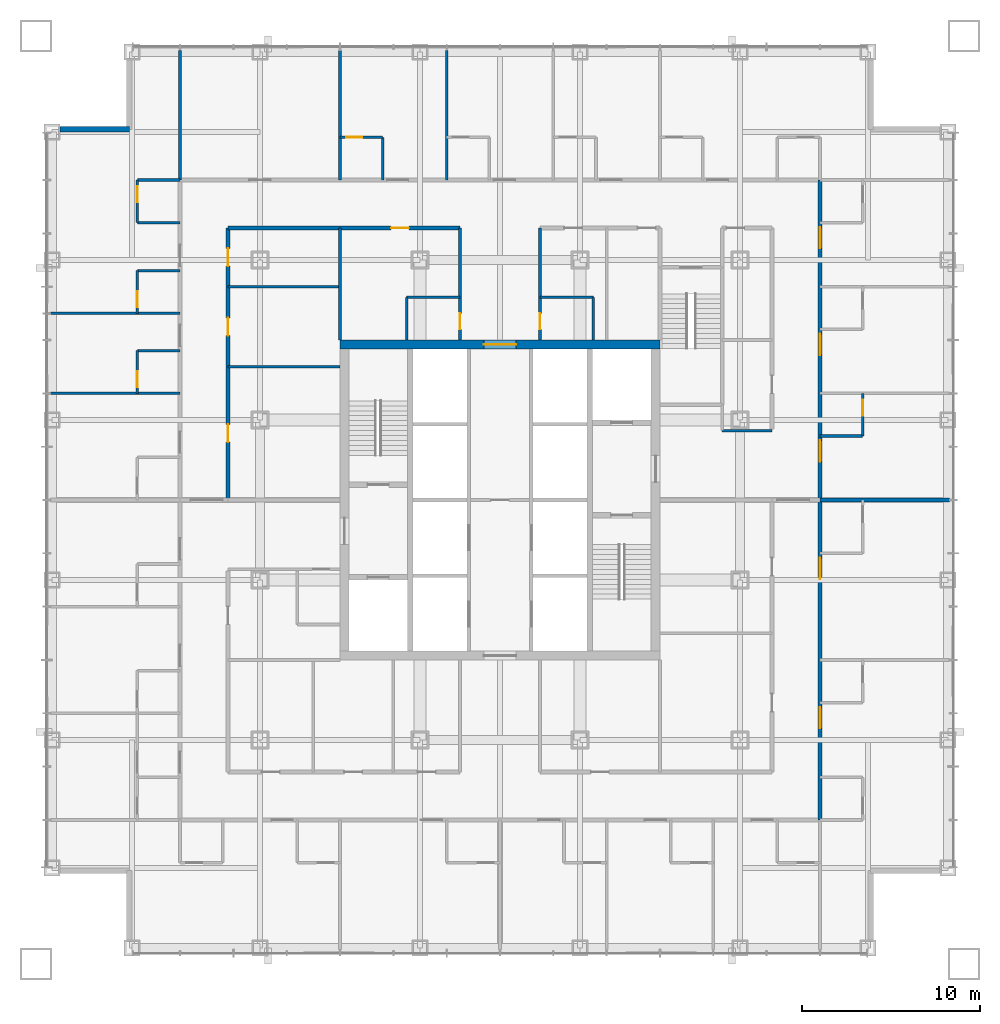
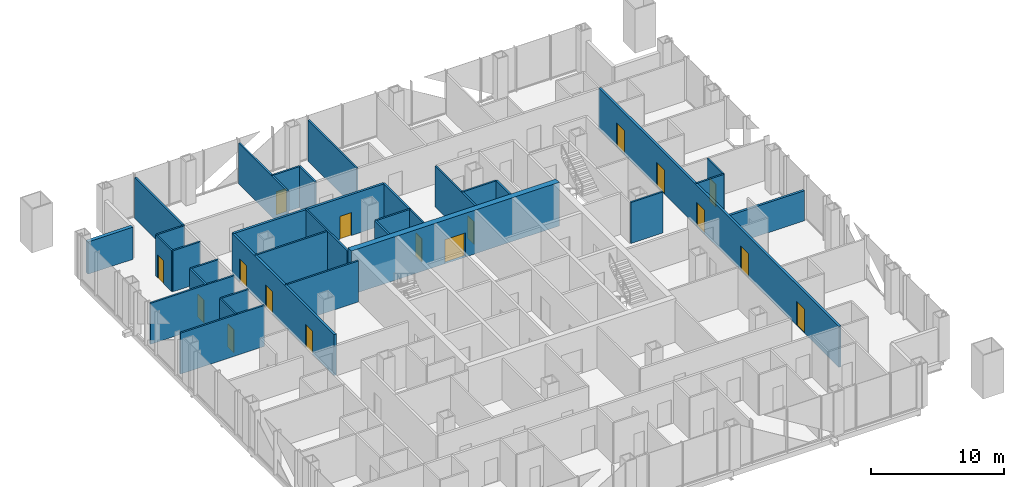
# One storey, part 10 of 14: 32 walls, 17 doors, 17 openings.
"""IFC4 building model written with IfcOpenShell, lengths in metres."""

import ifcopenshell
import ifcopenshell.guid

model = None  # the IFC model being written
_history = None  # IfcOwnerHistory: only IFC2X3 demands one
_inside = {}  # id of a spatial element -> (the spatial element, [elements in it])
_under = {}  # id of a project, library or spatial element -> (it, [spatial elements below it])
_declared = {}  # id of a project -> (the project, [libraries it declares])
_typed = {}  # id of a type object -> (the type object, [elements of that type])
_made_of = {}  # id of a material, layer set ... -> (it, [elements and type objects made of it])


def new_model(schema):
    """Start an empty IFC model of exactly this schema.

    Asked for "IFC4X3", IfcOpenShell would pick the latest addendum, in which some entities
    have other attributes; the version numbers below select the first issue.
    IFC2X3 requires an IfcOwnerHistory on every rooted entity: one is made here for all.
    """
    global model, _history
    if schema == "IFC4X3":
        model = ifcopenshell.file(schema_version=(4, 3, 0, 0))
    else:
        model = ifcopenshell.file(schema=schema)
    _inside.clear()
    _under.clear()
    _declared.clear()
    _typed.clear()
    _made_of.clear()
    _history = None
    if model.schema == "IFC2X3":
        org = make("IfcOrganization", Name="unknown")
        user = make(
            "IfcPersonAndOrganization",
            ThePerson=make("IfcPerson", FamilyName="unknown"),
            TheOrganization=org,
        )
        app = make(
            "IfcApplication",
            ApplicationDeveloper=org,
            Version="unknown",
            ApplicationFullName="unknown",
            ApplicationIdentifier="unknown",
        )
        _history = make(
            "IfcOwnerHistory",
            OwningUser=user,
            OwningApplication=app,
            ChangeAction="ADDED",
            CreationDate=0,
        )
    return model


def make(cls, **values):
    """One entity of the class cls with the attributes given. An attribute that is None is left unset."""
    return model.create_entity(
        cls, **{name: value for name, value in values.items() if value is not None}
    )


def rooted(cls, **values):
    """An entity with a GlobalId (a new one), such as an element, a storey or a relation."""
    return make(cls, GlobalId=ifcopenshell.guid.new(), OwnerHistory=_history, **values)


def si_unit(unit_type, name, prefix=None):
    """IfcSIUnit, for example si_unit("LENGTHUNIT", "METRE", prefix="MILLI")."""
    return make("IfcSIUnit", UnitType=unit_type, Prefix=prefix, Name=name)


def assignment(units):
    """IfcUnitAssignment: the units of a project."""
    return None if units is None else make("IfcUnitAssignment", Units=units)


def point(xyz):
    """IfcCartesianPoint."""
    return None if xyz is None else make("IfcCartesianPoint", Coordinates=xyz)


def direction(xyz):
    """IfcDirection."""
    return None if xyz is None else make("IfcDirection", DirectionRatios=xyz)


def frame(location, z_axis=None, x_axis=None):
    """IfcAxis2Placement3D, a coordinate frame: its origin and axes. An axis left out is left unset."""
    return make(
        "IfcAxis2Placement3D",
        Location=point(location),
        Axis=direction(z_axis),
        RefDirection=direction(x_axis),
    )


def frame_2d(location, x_axis=None):
    """IfcAxis2Placement2D, a coordinate frame in the plane: its origin and x axis."""
    return make(
        "IfcAxis2Placement2D", Location=point(location), RefDirection=direction(x_axis)
    )


def origin():
    """The frame at (0, 0, 0) with its axes left unset."""
    return frame((0.0, 0.0, 0.0))


def place(relative_to, where):
    """IfcLocalPlacement: puts the frame where relative to a parent placement (None: the world)."""
    return make(
        "IfcLocalPlacement", PlacementRelTo=relative_to, RelativePlacement=where
    )


def context(
    kind, dimensions, precision=None, world=None, true_north=None, identifier=None
):
    """IfcGeometricRepresentationContext, for example the 3D "Model" context."""
    return make(
        "IfcGeometricRepresentationContext",
        ContextIdentifier=identifier,
        ContextType=kind,
        CoordinateSpaceDimension=dimensions,
        Precision=precision,
        WorldCoordinateSystem=world,
        TrueNorth=true_north,
    )


def subcontext(parent, identifier, kind, view, scale=None):
    """IfcGeometricRepresentationSubContext, for example "Body" below "Model"."""
    return make(
        "IfcGeometricRepresentationSubContext",
        ContextIdentifier=identifier,
        ContextType=kind,
        ParentContext=parent,
        TargetScale=scale,
        TargetView=view,
    )


def project(units=None, contexts=None):
    """IfcProject with its units and contexts."""
    return rooted(
        "IfcProject",
        Name="project",
        RepresentationContexts=contexts,
        UnitsInContext=assignment(units),
    )


def spatial(cls, under=None, at=None, **own):
    """A site, building, storey or space (cls), placed at a placement, below another one or the project."""
    s = rooted(cls, ObjectPlacement=at, **own)
    if under is not None:
        _under.setdefault(under.id(), (under, []))[1].append(s)
    return s


def profile(cls, at=None, kind="AREA", **sizes):
    """A parametric profile (cls). Its sizes go by their IFC names, for example OverallWidth=200.0."""
    return make(cls, ProfileType=kind, Position=at, **sizes)


def rectangle(**sizes):
    """IfcRectangleProfileDef."""
    return profile("IfcRectangleProfileDef", **sizes)


def extrude(swept, where, along, depth):
    """IfcExtrudedAreaSolid: the profile swept, set in the frame where, extruded along a direction by depth."""
    return make(
        "IfcExtrudedAreaSolid",
        SweptArea=swept,
        Position=where,
        ExtrudedDirection=direction(along),
        Depth=depth,
    )


def shape(context_of_items, identifier, shape_type, items):
    """IfcShapeRepresentation: the items that make up one representation, for example the "Body"."""
    return make(
        "IfcShapeRepresentation",
        ContextOfItems=context_of_items,
        RepresentationIdentifier=identifier,
        RepresentationType=shape_type,
        Items=items,
    )


def material(Name=None, Category=None):
    """IfcMaterial."""
    return make("IfcMaterial", Name=Name, Category=Category)


def layer(
    of_material, thickness, ventilated=None, Name=None, Category=None, Priority=None
):
    """IfcMaterialLayer: one layer of a wall or slab, of a material (None: an air gap)."""
    return make(
        "IfcMaterialLayer",
        Material=of_material,
        LayerThickness=thickness,
        IsVentilated=ventilated,
        Name=Name,
        Category=Category,
        Priority=Priority,
    )


def layer_set(layers, Name=None):
    """IfcMaterialLayerSet."""
    return make("IfcMaterialLayerSet", MaterialLayers=layers, LayerSetName=Name)


def made_of(thing, what):
    """Note that an element or type object is made of a material, layer set ...; save() writes the relation."""
    if what is not None:
        _made_of.setdefault(what.id(), (what, []))[1].append(thing)
    return thing


def type_object(cls, material=None, **own):
    """A type object (cls), such as IfcWallType, which elements share."""
    return made_of(rooted(cls, **own), material)


def element(
    cls,
    number,
    at=None,
    inside=None,
    cuts=None,
    type_object=None,
    material=None,
    context=None,
    identifier="Body",
    shape_type=None,
    held_by="IfcProductDefinitionShape",
    body=None,
    shapes=None,
    **own,
):
    """One element of the class cls, such as IfcWall. Its Tag is "e" and its number.

    at: its placement. inside: the storey or other place that contains it. cuts: it is an
    opening in that element (IfcRelVoidsElement). A single representation is given by context,
    identifier, shape_type and body (its items); several are given by shapes. held_by: the class
    of the entity that holds the representations. save() writes the other relations.
    """
    e = rooted(cls, Tag="e%d" % number, ObjectPlacement=at, **own)
    if body is not None:
        shapes = [shape(context, identifier, shape_type, body)]
    if shapes is not None:
        e.Representation = make(held_by, Representations=shapes)
    if inside is not None:
        _inside.setdefault(inside.id(), (inside, []))[1].append(e)
    if cuts is not None:
        rooted(
            "IfcRelVoidsElement", RelatingBuildingElement=cuts, RelatedOpeningElement=e
        )
    if type_object is not None:
        _typed.setdefault(type_object.id(), (type_object, []))[1].append(e)
    return made_of(e, material)


def fill(opening, filler):
    """IfcRelFillsElement: the door or window that sits in an opening."""
    return rooted(
        "IfcRelFillsElement",
        RelatingOpeningElement=opening,
        RelatedBuildingElement=filler,
    )


def aggregate(whole, parts):
    """IfcRelAggregates: a whole, such as a stair, and the parts it consists of."""
    return rooted("IfcRelAggregates", RelatingObject=whole, RelatedObjects=parts)


def save(model, path):
    """Write the relations noted so far, then the file.

    IfcRelAggregates (storeys below a building ...), IfcRelContainedInSpatialStructure (elements
    in a storey), IfcRelDefinesByType, IfcRelAssociatesMaterial and IfcRelDeclares: one each for
    every whole, place, type object, material and project.
    """
    for whole, parts in _under.values():
        aggregate(whole, parts)
    for where, things in _inside.values():
        rooted(
            "IfcRelContainedInSpatialStructure",
            RelatedElements=things,
            RelatingStructure=where,
        )
    for kind, things in _typed.values():
        rooted("IfcRelDefinesByType", RelatedObjects=things, RelatingType=kind)
    for what, things in _made_of.values():
        rooted("IfcRelAssociatesMaterial", RelatedObjects=things, RelatingMaterial=what)
    for by, libraries in _declared.values():
        rooted("IfcRelDeclares", RelatingContext=by, RelatedDefinitions=libraries)
    model.write(path)


model = new_model("IFC4")

# Units and contexts
model_context = context("Model", 3, precision=1e-05, world=origin(), true_north=direction((0.0, 1.0)))
body_context = subcontext(model_context, "Body", "Model", "MODEL_VIEW")
ifc_project = project(units=[si_unit("LENGTHUNIT", "METRE"), si_unit("AREAUNIT", "SQUARE_METRE"), si_unit("VOLUMEUNIT", "CUBIC_METRE"), si_unit("PLANEANGLEUNIT", "RADIAN"), si_unit("MASSUNIT", "GRAM", prefix="KILO")], contexts=[model_context])

# Site, building, storey
site_placement = place(None, origin())
site = spatial("IfcSite", under=ifc_project, at=site_placement, CompositionType="ELEMENT")
building_placement = place(site_placement, origin())
building = spatial("IfcBuilding", under=site, at=building_placement, Name="Malebo Sky Hospital", CompositionType="ELEMENT")
storey_placement = place(building_placement, frame((0.0, 0.0, 71.0)))
storey = spatial("IfcBuildingStorey", under=building, at=storey_placement, Name="L16", CompositionType="ELEMENT", Elevation=71.0)

# Wall, opening, door
ifc_material_1 = material(Name="Concrete C80/95", Category="concrete")
ifc_layer_1 = layer(ifc_material_1, 0.5)
ifc_layer_set_1 = layer_set([ifc_layer_1], Name="CORE WALL 500")
wall_type_1 = type_object("IfcWallType", Name="CORE WALL 500", PredefinedType="SHEAR", material=ifc_layer_set_1)
wall_1_placement = place(storey_placement, frame((51.0, 70.75, 0.0), z_axis=(0.0, 0.0, 1.0), x_axis=(1.0, 0.0, 0.0)))
wall_1 = element("IfcWall", 1, at=wall_1_placement, inside=storey, type_object=wall_type_1, Name="Core wall N L16", PredefinedType="SHEAR", context=body_context, shape_type="SweptSolid", body=[
    extrude(rectangle(XDim=18.0, YDim=0.5, at=frame_2d((9.0, 0.0))), origin(), (0.0, 0.0, 1.0), 4.0),
])
opening_1_placement = place(wall_1_placement, frame((8.10009765625, 0.0, 0.0)))
opening_1 = element("IfcOpeningElement", 2, at=opening_1_placement, cuts=wall_1, Name="Opening D06", PredefinedType="OPENING", context=body_context, shape_type="SweptSolid", body=[
    extrude(rectangle(XDim=1.800048828125, YDim=2.199951171875, at=frame_2d((0.89990234375, 1.10009765625))), frame((0.0, 0.260009765625, 0.0), z_axis=(0.0, -1.0, 0.0), x_axis=(1.0, 0.0, 0.0)), (0.0, 0.0, 1.0), 0.52001953125),
])
ifc_material_2 = material(Name="Hardwood-faced door leaf in steel frame", Category="steel")
door_type_1 = type_object("IfcDoorType", Name="LOBBY DOOR PAIR 1800", OperationType="DOUBLE_DOOR_SINGLE_SWING", PredefinedType="DOOR", material=ifc_material_2)
door_1_placement = place(opening_1_placement, origin())
door_1 = element("IfcDoor", 3, at=door_1_placement, inside=storey, type_object=door_type_1, Name="linen store door north", OperationType="DOUBLE_DOOR_SINGLE_SWING", OverallHeight=2.199951171875, OverallWidth=1.800048828125, PredefinedType="DOOR", context=body_context, shape_type="SweptSolid", body=[
    extrude(rectangle(XDim=1.800048828125, YDim=2.199951171875, at=frame_2d((0.89990234375, 1.10009765625))), frame((0.0, 0.02490234375, 0.0), z_axis=(0.0, -1.0, 0.0), x_axis=(1.0, 0.0, 0.0)), (0.0, 0.0, 1.0), 0.050048828125),
])
fill(opening_1, door_1)

ifc_material_3 = material(Name="Gypsum board on steel studs", Category="steel")
ifc_layer_2 = layer(ifc_material_3, 0.199951171875)
ifc_layer_set_2 = layer_set([ifc_layer_2], Name="CORRIDOR WALL 200")
wall_type_2 = type_object("IfcWallType", Name="CORRIDOR WALL 200", PredefinedType="PARTITIONING", material=ifc_layer_set_2)
wall_2_placement = place(storey_placement, frame((44.699951171875, 77.300048828125, 0.0), z_axis=(0.0, 0.0, 1.0), x_axis=(1.0, 0.0, 0.0)))
wall_2 = element("IfcWall", 4, at=wall_2_placement, inside=storey, type_object=wall_type_2, Name="Corridor Wall 200 NCI1", PredefinedType="PARTITIONING", context=body_context, shape_type="SweptSolid", body=[
    extrude(rectangle(XDim=13.050048828125, YDim=0.199951171875, at=frame_2d((6.52490234375, 0.0))), origin(), (0.0, 0.0, 1.0), 3.75),
])
opening_2_placement = place(wall_2_placement, frame((9.175048828125, 0.0, 0.0)))
opening_2 = element("IfcOpeningElement", 5, at=opening_2_placement, cuts=wall_2, Name="Opening D03", PredefinedType="OPENING", context=body_context, shape_type="SweptSolid", body=[
    extrude(rectangle(XDim=1.0, YDim=2.10009765625, at=frame_2d((0.5, 1.050048828125))), frame((0.0, 0.10986328125, 0.0), z_axis=(0.0, -1.0, 0.0), x_axis=(1.0, 0.0, 0.0)), (0.0, 0.0, 1.0), 0.219970703125),
])
door_type_2 = type_object("IfcDoorType", Name="ROOM DOOR 1000", OperationType="SINGLE_SWING_LEFT", PredefinedType="DOOR", material=ifc_material_2)
door_2_placement = place(opening_2_placement, origin())
door_2 = element("IfcDoor", 6, at=door_2_placement, inside=storey, type_object=door_type_2, Name="Staff base door", OperationType="SINGLE_SWING_LEFT", OverallHeight=2.10009765625, OverallWidth=1.0, PredefinedType="DOOR", context=body_context, shape_type="SweptSolid", body=[
    extrude(rectangle(XDim=1.0, YDim=2.10009765625, at=frame_2d((0.5, 1.050048828125))), frame((0.0, 0.02490234375, 0.0), z_axis=(0.0, -1.0, 0.0), x_axis=(1.0, 0.0, 0.0)), (0.0, 0.0, 1.0), 0.050048828125),
])
fill(opening_2, door_2)

# Wall, openings, doors
wall_3_placement = place(storey_placement, frame((44.699951171875, 62.0, 0.0), z_axis=(0.0, 0.0, 1.0), x_axis=(0.0, 1.0, 0.0)))
wall_3 = element("IfcWall", 7, at=wall_3_placement, inside=storey, type_object=wall_type_2, Name="Corridor Wall 200 WCI2", PredefinedType="PARTITIONING", context=body_context, shape_type="SweptSolid", body=[
    extrude(rectangle(XDim=15.300048828125, YDim=0.199951171875, at=frame_2d((7.64990234375, 0.0))), origin(), (0.0, 0.0, 1.0), 3.75),
])
opening_3_placement = place(wall_3_placement, frame((3.25, 0.0, 0.0)))
opening_3 = element("IfcOpeningElement", 8, at=opening_3_placement, cuts=wall_3, Name="Opening D03", PredefinedType="OPENING", context=body_context, shape_type="SweptSolid", body=[
    extrude(rectangle(XDim=1.0, YDim=2.10009765625, at=frame_2d((0.5, 1.050048828125))), frame((0.0, 0.10986328125, 0.0), z_axis=(0.0, -1.0, 0.0), x_axis=(1.0, 0.0, 0.0)), (0.0, 0.0, 1.0), 0.219970703125),
])
opening_4_placement = place(wall_3_placement, frame((9.25, 0.0, 0.0)))
opening_4 = element("IfcOpeningElement", 9, at=opening_4_placement, cuts=wall_3, Name="Opening D03", PredefinedType="OPENING", context=body_context, shape_type="SweptSolid", body=[
    extrude(rectangle(XDim=1.0, YDim=2.10009765625, at=frame_2d((0.5, 1.050048828125))), frame((0.0, 0.10986328125, 0.0), z_axis=(0.0, -1.0, 0.0), x_axis=(1.0, 0.0, 0.0)), (0.0, 0.0, 1.0), 0.219970703125),
])
opening_5_placement = place(wall_3_placement, frame((13.14990234375, 0.0, 0.0)))
opening_5 = element("IfcOpeningElement", 10, at=opening_5_placement, cuts=wall_3, Name="Opening D03", PredefinedType="OPENING", context=body_context, shape_type="SweptSolid", body=[
    extrude(rectangle(XDim=1.0, YDim=2.10009765625, at=frame_2d((0.5, 1.050048828125))), frame((0.0, 0.10986328125, 0.0), z_axis=(0.0, -1.0, 0.0), x_axis=(1.0, 0.0, 0.0)), (0.0, 0.0, 1.0), 0.219970703125),
])
door_3_placement = place(opening_3_placement, origin())
door_3 = element("IfcDoor", 11, at=door_3_placement, inside=storey, type_object=door_type_2, Name="Staff rest room door", OperationType="SINGLE_SWING_LEFT", OverallHeight=2.10009765625, OverallWidth=1.0, PredefinedType="DOOR", context=body_context, shape_type="SweptSolid", body=[
    extrude(rectangle(XDim=1.0, YDim=2.10009765625, at=frame_2d((0.5, 1.050048828125))), frame((0.0, 0.02490234375, 0.0), z_axis=(0.0, -1.0, 0.0), x_axis=(1.0, 0.0, 0.0)), (0.0, 0.0, 1.0), 0.050048828125),
])
fill(opening_3, door_3)
door_4_placement = place(opening_4_placement, origin())
door_4 = element("IfcDoor", 12, at=door_4_placement, inside=storey, type_object=door_type_2, Name="Clean utility room door", OperationType="SINGLE_SWING_LEFT", OverallHeight=2.10009765625, OverallWidth=1.0, PredefinedType="DOOR", context=body_context, shape_type="SweptSolid", body=[
    extrude(rectangle(XDim=1.0, YDim=2.10009765625, at=frame_2d((0.5, 1.050048828125))), frame((0.0, 0.02490234375, 0.0), z_axis=(0.0, -1.0, 0.0), x_axis=(1.0, 0.0, 0.0)), (0.0, 0.0, 1.0), 0.050048828125),
])
fill(opening_4, door_4)
door_5_placement = place(opening_5_placement, origin())
door_5 = element("IfcDoor", 13, at=door_5_placement, inside=storey, type_object=door_type_2, Name="Medication room door", OperationType="SINGLE_SWING_RIGHT", OverallHeight=2.10009765625, OverallWidth=1.0, PredefinedType="DOOR", context=body_context, shape_type="SweptSolid", body=[
    extrude(rectangle(XDim=1.0, YDim=2.10009765625, at=frame_2d((0.5, 1.050048828125))), frame((0.0, 0.02490234375, 0.0), z_axis=(0.0, -1.0, 0.0), x_axis=(1.0, 0.0, 0.0)), (0.0, 0.0, 1.0), 0.050048828125),
])
fill(opening_5, door_5)

wall_4_placement = place(storey_placement, frame((78.0, 80.0, 0.0), z_axis=(0.0, 0.0, 1.0), x_axis=(0.0, -1.0, 0.0)))
wall_4 = element("IfcWall", 14, at=wall_4_placement, inside=storey, type_object=wall_type_2, Name="Corridor Wall 200 ECO", PredefinedType="PARTITIONING", context=body_context, shape_type="SweptSolid", body=[
    extrude(rectangle(XDim=36.0, YDim=0.199951171875, at=frame_2d((18.0, 0.0))), origin(), (0.0, 0.0, 1.0), 3.75),
])
opening_6_placement = place(wall_4_placement, frame((2.64990234375, 0.0, 0.0)))
opening_6 = element("IfcOpeningElement", 15, at=opening_6_placement, cuts=wall_4, Name="Opening D01", PredefinedType="OPENING", context=body_context, shape_type="SweptSolid", body=[
    extrude(rectangle(XDim=1.199951171875, YDim=2.199951171875, at=frame_2d((0.60009765625, 1.10009765625))), frame((0.0, 0.10986328125, 0.0), z_axis=(0.0, -1.0, 0.0), x_axis=(1.0, 0.0, 0.0)), (0.0, 0.0, 1.0), 0.219970703125),
])
opening_7_placement = place(wall_4_placement, frame((8.64990234375, 0.0, 0.0)))
opening_7 = element("IfcOpeningElement", 16, at=opening_7_placement, cuts=wall_4, Name="Opening D01", PredefinedType="OPENING", context=body_context, shape_type="SweptSolid", body=[
    extrude(rectangle(XDim=1.199951171875, YDim=2.199951171875, at=frame_2d((0.60009765625, 1.10009765625))), frame((0.0, 0.10986328125, 0.0), z_axis=(0.0, -1.0, 0.0), x_axis=(1.0, 0.0, 0.0)), (0.0, 0.0, 1.0), 0.219970703125),
])
opening_8_placement = place(wall_4_placement, frame((14.64990234375, 0.0, 0.0)))
opening_8 = element("IfcOpeningElement", 17, at=opening_8_placement, cuts=wall_4, Name="Opening D01", PredefinedType="OPENING", context=body_context, shape_type="SweptSolid", body=[
    extrude(rectangle(XDim=1.199951171875, YDim=2.199951171875, at=frame_2d((0.60009765625, 1.10009765625))), frame((0.0, 0.10986328125, 0.0), z_axis=(0.0, -1.0, 0.0), x_axis=(1.0, 0.0, 0.0)), (0.0, 0.0, 1.0), 0.219970703125),
])
opening_9_placement = place(wall_4_placement, frame((21.25, 0.0, 0.0)))
opening_9 = element("IfcOpeningElement", 18, at=opening_9_placement, cuts=wall_4, Name="Opening D01", PredefinedType="OPENING", context=body_context, shape_type="SweptSolid", body=[
    extrude(rectangle(XDim=1.199951171875, YDim=2.199951171875, at=frame_2d((0.60009765625, 1.10009765625))), frame((0.0, 0.10986328125, 0.0), z_axis=(0.0, -1.0, 0.0), x_axis=(1.0, 0.0, 0.0)), (0.0, 0.0, 1.0), 0.219970703125),
])
opening_10_placement = place(wall_4_placement, frame((29.64990234375, 0.0, 0.0)))
opening_10 = element("IfcOpeningElement", 19, at=opening_10_placement, cuts=wall_4, Name="Opening D01", PredefinedType="OPENING", context=body_context, shape_type="SweptSolid", body=[
    extrude(rectangle(XDim=1.199951171875, YDim=2.199951171875, at=frame_2d((0.60009765625, 1.10009765625))), frame((0.0, 0.10986328125, 0.0), z_axis=(0.0, -1.0, 0.0), x_axis=(1.0, 0.0, 0.0)), (0.0, 0.0, 1.0), 0.219970703125),
])
door_type_3 = type_object("IfcDoorType", Name="BED DOOR 1200", OperationType="SINGLE_SWING_LEFT", PredefinedType="DOOR", material=ifc_material_2)
door_6_placement = place(opening_6_placement, origin())
door_6 = element("IfcDoor", 20, at=door_6_placement, inside=storey, type_object=door_type_3, Name="Single bed room door", OperationType="SINGLE_SWING_LEFT", OverallHeight=2.199951171875, OverallWidth=1.199951171875, PredefinedType="DOOR", context=body_context, shape_type="SweptSolid", body=[
    extrude(rectangle(XDim=1.199951171875, YDim=2.199951171875, at=frame_2d((0.60009765625, 1.10009765625))), frame((0.0, 0.02490234375, 0.0), z_axis=(0.0, -1.0, 0.0), x_axis=(1.0, 0.0, 0.0)), (0.0, 0.0, 1.0), 0.050048828125),
])
fill(opening_6, door_6)
door_7_placement = place(opening_7_placement, origin())
door_7 = element("IfcDoor", 21, at=door_7_placement, inside=storey, type_object=door_type_3, Name="Single bed room door", OperationType="SINGLE_SWING_LEFT", OverallHeight=2.199951171875, OverallWidth=1.199951171875, PredefinedType="DOOR", context=body_context, shape_type="SweptSolid", body=[
    extrude(rectangle(XDim=1.199951171875, YDim=2.199951171875, at=frame_2d((0.60009765625, 1.10009765625))), frame((0.0, 0.02490234375, 0.0), z_axis=(0.0, -1.0, 0.0), x_axis=(1.0, 0.0, 0.0)), (0.0, 0.0, 1.0), 0.050048828125),
])
fill(opening_7, door_7)
door_8_placement = place(opening_8_placement, origin())
door_8 = element("IfcDoor", 22, at=door_8_placement, inside=storey, type_object=door_type_3, Name="Single bed room door", OperationType="SINGLE_SWING_LEFT", OverallHeight=2.199951171875, OverallWidth=1.199951171875, PredefinedType="DOOR", context=body_context, shape_type="SweptSolid", body=[
    extrude(rectangle(XDim=1.199951171875, YDim=2.199951171875, at=frame_2d((0.60009765625, 1.10009765625))), frame((0.0, 0.02490234375, 0.0), z_axis=(0.0, -1.0, 0.0), x_axis=(1.0, 0.0, 0.0)), (0.0, 0.0, 1.0), 0.050048828125),
])
fill(opening_8, door_8)
door_9_placement = place(opening_9_placement, origin())
door_9 = element("IfcDoor", 23, at=door_9_placement, inside=storey, type_object=door_type_3, Name="Two-bed room door", OperationType="SINGLE_SWING_LEFT", OverallHeight=2.199951171875, OverallWidth=1.199951171875, PredefinedType="DOOR", context=body_context, shape_type="SweptSolid", body=[
    extrude(rectangle(XDim=1.199951171875, YDim=2.199951171875, at=frame_2d((0.60009765625, 1.10009765625))), frame((0.0, 0.02490234375, 0.0), z_axis=(0.0, -1.0, 0.0), x_axis=(1.0, 0.0, 0.0)), (0.0, 0.0, 1.0), 0.050048828125),
])
fill(opening_9, door_9)
door_10_placement = place(opening_10_placement, origin())
door_10 = element("IfcDoor", 24, at=door_10_placement, inside=storey, type_object=door_type_3, Name="Four-bed bay door", OperationType="SINGLE_SWING_LEFT", OverallHeight=2.199951171875, OverallWidth=1.199951171875, PredefinedType="DOOR", context=body_context, shape_type="SweptSolid", body=[
    extrude(rectangle(XDim=1.199951171875, YDim=2.199951171875, at=frame_2d((0.60009765625, 1.10009765625))), frame((0.0, 0.02490234375, 0.0), z_axis=(0.0, -1.0, 0.0), x_axis=(1.0, 0.0, 0.0)), (0.0, 0.0, 1.0), 0.050048828125),
])
fill(opening_10, door_10)

# Walls
ifc_material_4 = material(Name="Anodised aluminium rainscreen on steel framing", Category="steel")
ifc_layer_3 = layer(ifc_material_4, 0.300048828125)
ifc_layer_set_3 = layer_set([ifc_layer_3], Name="NOTCH RAINSCREEN WALL 300")
wall_type_3 = type_object("IfcWallType", Name="NOTCH RAINSCREEN WALL 300", PredefinedType="ELEMENTEDWALL", material=ifc_layer_set_3)
wall_5_placement = place(storey_placement, frame((35.25, 82.85009765625, 0.0), z_axis=(0.0, 0.0, 1.0), x_axis=(1.0, 0.0, 0.0)))
element("IfcWall", 25, at=wall_5_placement, inside=storey, type_object=wall_type_3, Name="Notch rainscreen wall W1 L16", PredefinedType="ELEMENTEDWALL", context=body_context, shape_type="SweptSolid", body=[
    extrude(rectangle(XDim=3.89990234375, YDim=0.300048828125, at=frame_2d((1.949951171875, 0.0))), origin(), (0.0, 0.0, 1.0), 2.949951171875),
])
ifc_layer_4 = layer(ifc_material_3, 0.14990234375)
ifc_layer_set_4 = layer_set([ifc_layer_4], Name="PARTITION 150")
wall_type_4 = type_object("IfcWallType", Name="PARTITION 150", PredefinedType="PARTITIONING", material=ifc_layer_set_4)
for number, where, z_axis, x_axis, name in (
    (26, (51.0, 80.0, 0.0), (0.0, 0.0, 1.0), (0.0, 1.0, 0.0), "Partition 150 NP-9.0"),
    (27, (57.0, 80.0, 0.0), (0.0, 0.0, 1.0), (0.0, 1.0, 0.0), "Partition 150 NP-3.0"),
    (28, (42.0, 80.0, 0.0), (0.0, 0.0, 1.0), (0.0, 1.0, 0.0), "Partition 150 NP0"),
):
    element("IfcWall", number, at=place(storey_placement, frame(where, z_axis=z_axis, x_axis=x_axis)), inside=storey, type_object=wall_type_4, Name=name, PredefinedType="PARTITIONING", context=body_context, shape_type="SweptSolid", body=[
        extrude(rectangle(XDim=7.27490234375, YDim=0.14990234375, at=frame_2d((3.637451171875, 0.0))), origin(), (0.0, 0.0, 1.0), 3.75),
    ])

# Wall, opening, door
wall_6_placement = place(storey_placement, frame((51.0, 82.39990234375, 0.0), z_axis=(0.0, 0.0, 1.0), x_axis=(1.0, 0.0, 0.0)))
wall_6 = element("IfcWall", 29, at=wall_6_placement, inside=storey, type_object=wall_type_4, Name="Partition 150 NE1F", PredefinedType="PARTITIONING", context=body_context, shape_type="SweptSolid", body=[
    extrude(rectangle(XDim=2.39990234375, YDim=0.14990234375, at=frame_2d((1.199951171875, 0.0))), origin(), (0.0, 0.0, 1.0), 3.75),
])
opening_11_placement = place(wall_6_placement, frame((0.35009765625, 0.0, 0.0)))
opening_11 = element("IfcOpeningElement", 30, at=opening_11_placement, cuts=wall_6, Name="Opening D02", PredefinedType="OPENING", context=body_context, shape_type="SweptSolid", body=[
    extrude(rectangle(XDim=0.89990234375, YDim=2.10009765625, at=frame_2d((0.449951171875, 1.050048828125))), frame((0.0, 0.0849609375, 0.0), z_axis=(0.0, -1.0, 0.0), x_axis=(1.0, 0.0, 0.0)), (0.0, 0.0, 1.0), 0.169921875),
])
door_type_4 = type_object("IfcDoorType", Name="EN-SUITE DOOR 900", OperationType="SINGLE_SWING_LEFT", PredefinedType="DOOR", material=ifc_material_2)
door_11_placement = place(opening_11_placement, origin())
door_11 = element("IfcDoor", 31, at=door_11_placement, inside=storey, type_object=door_type_4, Name="En-suite door", OperationType="SINGLE_SWING_LEFT", OverallHeight=2.10009765625, OverallWidth=0.89990234375, PredefinedType="DOOR", context=body_context, shape_type="SweptSolid", body=[
    extrude(rectangle(XDim=0.89990234375, YDim=2.10009765625, at=frame_2d((0.449951171875, 1.050048828125))), frame((0.0, 0.02490234375, 0.0), z_axis=(0.0, -1.0, 0.0), x_axis=(1.0, 0.0, 0.0)), (0.0, 0.0, 1.0), 0.050048828125),
])
fill(opening_11, door_11)

# Walls
wall_7_placement = place(storey_placement, frame((53.39990234375, 80.0, 0.0), z_axis=(0.0, 0.0, 1.0), x_axis=(0.0, 1.0, 0.0)))
element("IfcWall", 32, at=wall_7_placement, inside=storey, type_object=wall_type_4, Name="Partition 150 NE1S", PredefinedType="PARTITIONING", context=body_context, shape_type="SweptSolid", body=[
    extrude(rectangle(XDim=2.39990234375, YDim=0.14990234375, at=frame_2d((1.199951171875, 0.0))), origin(), (0.0, 0.0, 1.0), 3.75),
])
wall_8_placement = place(storey_placement, frame((51.0, 71.0, 0.0), z_axis=(0.0, 0.0, 1.0), x_axis=(0.0, 1.0, 0.0)))
element("IfcWall", 33, at=wall_8_placement, inside=storey, type_object=wall_type_4, Name="Partition 150 NSP0", PredefinedType="PARTITIONING", context=body_context, shape_type="SweptSolid", body=[
    extrude(rectangle(XDim=6.300048828125, YDim=0.14990234375, at=frame_2d((3.14990234375, 0.0))), origin(), (0.0, 0.0, 1.0), 3.75),
])

# Wall, opening, door
wall_9_placement = place(storey_placement, frame((57.75, 71.0, 0.0), z_axis=(0.0, 0.0, 1.0), x_axis=(0.0, 1.0, 0.0)))
wall_9 = element("IfcWall", 34, at=wall_9_placement, inside=storey, type_object=wall_type_4, Name="Partition 150 NSPA", PredefinedType="PARTITIONING", context=body_context, shape_type="SweptSolid", body=[
    extrude(rectangle(XDim=6.300048828125, YDim=0.14990234375, at=frame_2d((3.14990234375, 0.0))), origin(), (0.0, 0.0, 1.0), 3.75),
])
opening_12_placement = place(wall_9_placement, frame((0.60009765625, 0.0, 0.0)))
opening_12 = element("IfcOpeningElement", 35, at=opening_12_placement, cuts=wall_9, Name="Opening D04", PredefinedType="OPENING", context=body_context, shape_type="SweptSolid", body=[
    extrude(rectangle(XDim=0.89990234375, YDim=2.10009765625, at=frame_2d((0.449951171875, 1.050048828125))), frame((0.0, 0.0849609375, 0.0), z_axis=(0.0, -1.0, 0.0), x_axis=(1.0, 0.0, 0.0)), (0.0, 0.0, 1.0), 0.169921875),
])
door_type_5 = type_object("IfcDoorType", Name="ROOM DOOR 900", OperationType="SINGLE_SWING_LEFT", PredefinedType="DOOR", material=ifc_material_2)
door_12_placement = place(opening_12_placement, origin())
door_12 = element("IfcDoor", 36, at=door_12_placement, inside=storey, type_object=door_type_5, Name="Staff WC door", OperationType="SINGLE_SWING_LEFT", OverallHeight=2.10009765625, OverallWidth=0.89990234375, PredefinedType="DOOR", context=body_context, shape_type="SweptSolid", body=[
    extrude(rectangle(XDim=0.89990234375, YDim=2.10009765625, at=frame_2d((0.449951171875, 1.050048828125))), frame((0.0, 0.02490234375, 0.0), z_axis=(0.0, -1.0, 0.0), x_axis=(1.0, 0.0, 0.0)), (0.0, 0.0, 1.0), 0.050048828125),
])
fill(opening_12, door_12)

wall_10_placement = place(storey_placement, frame((62.25, 71.0, 0.0), z_axis=(0.0, 0.0, 1.0), x_axis=(0.0, 1.0, 0.0)))
wall_10 = element("IfcWall", 37, at=wall_10_placement, inside=storey, type_object=wall_type_4, Name="Partition 150 NSPB", PredefinedType="PARTITIONING", context=body_context, shape_type="SweptSolid", body=[
    extrude(rectangle(XDim=6.300048828125, YDim=0.14990234375, at=frame_2d((3.14990234375, 0.0))), origin(), (0.0, 0.0, 1.0), 3.75),
])
opening_13_placement = place(wall_10_placement, frame((0.60009765625, 0.0, 0.0)))
opening_13 = element("IfcOpeningElement", 38, at=opening_13_placement, cuts=wall_10, Name="Opening D04", PredefinedType="OPENING", context=body_context, shape_type="SweptSolid", body=[
    extrude(rectangle(XDim=0.89990234375, YDim=2.10009765625, at=frame_2d((0.449951171875, 1.050048828125))), frame((0.0, 0.0849609375, 0.0), z_axis=(0.0, -1.0, 0.0), x_axis=(1.0, 0.0, 0.0)), (0.0, 0.0, 1.0), 0.169921875),
])
door_13_placement = place(opening_13_placement, origin())
door_13 = element("IfcDoor", 39, at=door_13_placement, inside=storey, type_object=door_type_5, Name="Accessible WC door", OperationType="SINGLE_SWING_LEFT", OverallHeight=2.10009765625, OverallWidth=0.89990234375, PredefinedType="DOOR", context=body_context, shape_type="SweptSolid", body=[
    extrude(rectangle(XDim=0.89990234375, YDim=2.10009765625, at=frame_2d((0.449951171875, 1.050048828125))), frame((0.0, 0.02490234375, 0.0), z_axis=(0.0, -1.0, 0.0), x_axis=(1.0, 0.0, 0.0)), (0.0, 0.0, 1.0), 0.050048828125),
])
fill(opening_13, door_13)

# Walls
wall_11_placement = place(storey_placement, frame((54.75, 73.39990234375, 0.0), z_axis=(0.0, 0.0, 1.0), x_axis=(1.0, 0.0, 0.0)))
element("IfcWall", 40, at=wall_11_placement, inside=storey, type_object=wall_type_4, Name="Partition 150 NSX0", PredefinedType="PARTITIONING", context=body_context, shape_type="SweptSolid", body=[
    extrude(rectangle(XDim=3.0, YDim=0.14990234375, at=frame_2d((1.5, 0.0))), origin(), (0.0, 0.0, 1.0), 3.75),
])
wall_12_placement = place(storey_placement, frame((54.75, 71.0, 0.0), z_axis=(0.0, 0.0, 1.0), x_axis=(0.0, 1.0, 0.0)))
element("IfcWall", 41, at=wall_12_placement, inside=storey, type_object=wall_type_4, Name="Partition 150 NSY0", PredefinedType="PARTITIONING", context=body_context, shape_type="SweptSolid", body=[
    extrude(rectangle(XDim=2.39990234375, YDim=0.14990234375, at=frame_2d((1.199951171875, 0.0))), origin(), (0.0, 0.0, 1.0), 3.75),
])
wall_13_placement = place(storey_placement, frame((62.25, 73.39990234375, 0.0), z_axis=(0.0, 0.0, 1.0), x_axis=(1.0, 0.0, 0.0)))
element("IfcWall", 42, at=wall_13_placement, inside=storey, type_object=wall_type_4, Name="Partition 150 NSX1", PredefinedType="PARTITIONING", context=body_context, shape_type="SweptSolid", body=[
    extrude(rectangle(XDim=3.0, YDim=0.14990234375, at=frame_2d((1.5, 0.0))), origin(), (0.0, 0.0, 1.0), 3.75),
])
wall_14_placement = place(storey_placement, frame((65.25, 71.0, 0.0), z_axis=(0.0, 0.0, 1.0), x_axis=(0.0, 1.0, 0.0)))
element("IfcWall", 43, at=wall_14_placement, inside=storey, type_object=wall_type_4, Name="Partition 150 NSY1", PredefinedType="PARTITIONING", context=body_context, shape_type="SweptSolid", body=[
    extrude(rectangle(XDim=2.39990234375, YDim=0.14990234375, at=frame_2d((1.199951171875, 0.0))), origin(), (0.0, 0.0, 1.0), 3.75),
])
for number, where, z_axis, x_axis, name in (
    (44, (42.0, 68.0, 0.0), (0.0, 0.0, 1.0), (-1.0, 0.0, 0.0), "Partition 150 WP+6.0"),
    (45, (42.0, 72.5, 0.0), (0.0, 0.0, 1.0), (-1.0, 0.0, 0.0), "Partition 150 WP+10.5"),
):
    element("IfcWall", number, at=place(storey_placement, frame(where, z_axis=z_axis, x_axis=x_axis)), inside=storey, type_object=wall_type_4, Name=name, PredefinedType="PARTITIONING", context=body_context, shape_type="SweptSolid", body=[
        extrude(rectangle(XDim=7.27490234375, YDim=0.14990234375, at=frame_2d((3.637451171875, 0.0))), origin(), (0.0, 0.0, 1.0), 3.75),
    ])

# Wall, opening, door
wall_15_placement = place(storey_placement, frame((39.60009765625, 68.0, 0.0), z_axis=(0.0, 0.0, 1.0), x_axis=(0.0, 1.0, 0.0)))
wall_15 = element("IfcWall", 46, at=wall_15_placement, inside=storey, type_object=wall_type_4, Name="Partition 150 WE4F", PredefinedType="PARTITIONING", context=body_context, shape_type="SweptSolid", body=[
    extrude(rectangle(XDim=2.39990234375, YDim=0.14990234375, at=frame_2d((1.199951171875, 0.0))), origin(), (0.0, 0.0, 1.0), 3.75),
])
opening_14_placement = place(wall_15_placement, frame((0.35009765625, 0.0, 0.0)))
opening_14 = element("IfcOpeningElement", 47, at=opening_14_placement, cuts=wall_15, Name="Opening D02", PredefinedType="OPENING", context=body_context, shape_type="SweptSolid", body=[
    extrude(rectangle(XDim=0.89990234375, YDim=2.10009765625, at=frame_2d((0.449951171875, 1.050048828125))), frame((0.0, 0.0849609375, 0.0), z_axis=(0.0, -1.0, 0.0), x_axis=(1.0, 0.0, 0.0)), (0.0, 0.0, 1.0), 0.169921875),
])
door_14_placement = place(opening_14_placement, origin())
door_14 = element("IfcDoor", 48, at=door_14_placement, inside=storey, type_object=door_type_4, Name="En-suite door", OperationType="SINGLE_SWING_LEFT", OverallHeight=2.10009765625, OverallWidth=0.89990234375, PredefinedType="DOOR", context=body_context, shape_type="SweptSolid", body=[
    extrude(rectangle(XDim=0.89990234375, YDim=2.10009765625, at=frame_2d((0.449951171875, 1.050048828125))), frame((0.0, 0.02490234375, 0.0), z_axis=(0.0, -1.0, 0.0), x_axis=(1.0, 0.0, 0.0)), (0.0, 0.0, 1.0), 0.050048828125),
])
fill(opening_14, door_14)

# Wall
wall_16_placement = place(storey_placement, frame((42.0, 70.39990234375, 0.0), z_axis=(0.0, 0.0, 1.0), x_axis=(-1.0, 0.0, 0.0)))
element("IfcWall", 49, at=wall_16_placement, inside=storey, type_object=wall_type_4, Name="Partition 150 WE4S", PredefinedType="PARTITIONING", context=body_context, shape_type="SweptSolid", body=[
    extrude(rectangle(XDim=2.39990234375, YDim=0.14990234375, at=frame_2d((1.199951171875, 0.0))), origin(), (0.0, 0.0, 1.0), 3.75),
])

# Wall, opening, door
wall_17_placement = place(storey_placement, frame((39.60009765625, 72.5, 0.0), z_axis=(0.0, 0.0, 1.0), x_axis=(0.0, 1.0, 0.0)))
wall_17 = element("IfcWall", 50, at=wall_17_placement, inside=storey, type_object=wall_type_4, Name="Partition 150 WE5F", PredefinedType="PARTITIONING", context=body_context, shape_type="SweptSolid", body=[
    extrude(rectangle(XDim=2.39990234375, YDim=0.14990234375, at=frame_2d((1.199951171875, 0.0))), origin(), (0.0, 0.0, 1.0), 3.75),
])
opening_15_placement = place(wall_17_placement, frame((0.35009765625, 0.0, 0.0)))
opening_15 = element("IfcOpeningElement", 51, at=opening_15_placement, cuts=wall_17, Name="Opening D02", PredefinedType="OPENING", context=body_context, shape_type="SweptSolid", body=[
    extrude(rectangle(XDim=0.89990234375, YDim=2.10009765625, at=frame_2d((0.449951171875, 1.050048828125))), frame((0.0, 0.0849609375, 0.0), z_axis=(0.0, -1.0, 0.0), x_axis=(1.0, 0.0, 0.0)), (0.0, 0.0, 1.0), 0.169921875),
])
door_15_placement = place(opening_15_placement, origin())
door_15 = element("IfcDoor", 52, at=door_15_placement, inside=storey, type_object=door_type_4, Name="En-suite door", OperationType="SINGLE_SWING_LEFT", OverallHeight=2.10009765625, OverallWidth=0.89990234375, PredefinedType="DOOR", context=body_context, shape_type="SweptSolid", body=[
    extrude(rectangle(XDim=0.89990234375, YDim=2.10009765625, at=frame_2d((0.449951171875, 1.050048828125))), frame((0.0, 0.02490234375, 0.0), z_axis=(0.0, -1.0, 0.0), x_axis=(1.0, 0.0, 0.0)), (0.0, 0.0, 1.0), 0.050048828125),
])
fill(opening_15, door_15)

# Wall
wall_18_placement = place(storey_placement, frame((42.0, 74.89990234375, 0.0), z_axis=(0.0, 0.0, 1.0), x_axis=(-1.0, 0.0, 0.0)))
element("IfcWall", 53, at=wall_18_placement, inside=storey, type_object=wall_type_4, Name="Partition 150 WE5S", PredefinedType="PARTITIONING", context=body_context, shape_type="SweptSolid", body=[
    extrude(rectangle(XDim=2.39990234375, YDim=0.14990234375, at=frame_2d((1.199951171875, 0.0))), origin(), (0.0, 0.0, 1.0), 3.75),
])

# Wall, opening, door
wall_19_placement = place(storey_placement, frame((39.60009765625, 77.60009765625, 0.0), z_axis=(0.0, 0.0, 1.0), x_axis=(0.0, 1.0, 0.0)))
wall_19 = element("IfcWall", 54, at=wall_19_placement, inside=storey, type_object=wall_type_4, Name="Partition 150 WG5F", PredefinedType="PARTITIONING", context=body_context, shape_type="SweptSolid", body=[
    extrude(rectangle(XDim=2.39990234375, YDim=0.14990234375, at=frame_2d((1.199951171875, 0.0))), origin(), (0.0, 0.0, 1.0), 3.75),
])
opening_16_placement = place(wall_19_placement, frame((1.14990234375, 0.0, 0.0)))
opening_16 = element("IfcOpeningElement", 55, at=opening_16_placement, cuts=wall_19, Name="Opening D02", PredefinedType="OPENING", context=body_context, shape_type="SweptSolid", body=[
    extrude(rectangle(XDim=0.89990234375, YDim=2.10009765625, at=frame_2d((0.449951171875, 1.050048828125))), frame((0.0, 0.0849609375, 0.0), z_axis=(0.0, -1.0, 0.0), x_axis=(1.0, 0.0, 0.0)), (0.0, 0.0, 1.0), 0.169921875),
])
door_16_placement = place(opening_16_placement, origin())
door_16 = element("IfcDoor", 56, at=door_16_placement, inside=storey, type_object=door_type_4, Name="En-suite door", OperationType="SINGLE_SWING_RIGHT", OverallHeight=2.10009765625, OverallWidth=0.89990234375, PredefinedType="DOOR", context=body_context, shape_type="SweptSolid", body=[
    extrude(rectangle(XDim=0.89990234375, YDim=2.10009765625, at=frame_2d((0.449951171875, 1.050048828125))), frame((0.0, 0.02490234375, 0.0), z_axis=(0.0, -1.0, 0.0), x_axis=(1.0, 0.0, 0.0)), (0.0, 0.0, 1.0), 0.050048828125),
])
fill(opening_16, door_16)

# Walls
for number, where, z_axis, x_axis, name in (
    (57, (42.0, 77.60009765625, 0.0), (0.0, 0.0, 1.0), (-1.0, 0.0, 0.0), "Partition 150 WG5S"),
    (58, (42.0, 80.0, 0.0), (0.0, 0.0, 1.0), (-1.0, 0.0, 0.0), "Partition 150 WEZ"),
):
    element("IfcWall", number, at=place(storey_placement, frame(where, z_axis=z_axis, x_axis=x_axis)), inside=storey, type_object=wall_type_4, Name=name, PredefinedType="PARTITIONING", context=body_context, shape_type="SweptSolid", body=[
        extrude(rectangle(XDim=2.39990234375, YDim=0.14990234375, at=frame_2d((1.199951171875, 0.0))), origin(), (0.0, 0.0, 1.0), 3.75),
    ])
for number, where, z_axis, x_axis, name in (
    (59, (51.0, 69.5, 0.0), (0.0, 0.0, 1.0), (-1.0, 0.0, 0.0), "Partition 150 WSP+7.5"),
    (60, (51.0, 74.0, 0.0), (0.0, 0.0, 1.0), (-1.0, 0.0, 0.0), "Partition 150 WSP+12.0"),
):
    element("IfcWall", number, at=place(storey_placement, frame(where, z_axis=z_axis, x_axis=x_axis)), inside=storey, type_object=wall_type_4, Name=name, PredefinedType="PARTITIONING", context=body_context, shape_type="SweptSolid", body=[
        extrude(rectangle(XDim=6.300048828125, YDim=0.14990234375, at=frame_2d((3.14990234375, 0.0))), origin(), (0.0, 0.0, 1.0), 3.75),
    ])

# Wall, opening, door
wall_20_placement = place(storey_placement, frame((80.39990234375, 68.0, 0.0), z_axis=(0.0, 0.0, 1.0), x_axis=(0.0, -1.0, 0.0)))
wall_20 = element("IfcWall", 61, at=wall_20_placement, inside=storey, type_object=wall_type_4, Name="Partition 150 EE2F", PredefinedType="PARTITIONING", context=body_context, shape_type="SweptSolid", body=[
    extrude(rectangle(XDim=2.39990234375, YDim=0.14990234375, at=frame_2d((1.199951171875, 0.0))), origin(), (0.0, 0.0, 1.0), 3.75),
])
opening_17_placement = place(wall_20_placement, frame((0.35009765625, 0.0, 0.0)))
opening_17 = element("IfcOpeningElement", 62, at=opening_17_placement, cuts=wall_20, Name="Opening D02", PredefinedType="OPENING", context=body_context, shape_type="SweptSolid", body=[
    extrude(rectangle(XDim=0.89990234375, YDim=2.10009765625, at=frame_2d((0.449951171875, 1.050048828125))), frame((0.0, 0.0849609375, 0.0), z_axis=(0.0, -1.0, 0.0), x_axis=(1.0, 0.0, 0.0)), (0.0, 0.0, 1.0), 0.169921875),
])
door_17_placement = place(opening_17_placement, origin())
door_17 = element("IfcDoor", 63, at=door_17_placement, inside=storey, type_object=door_type_4, Name="En-suite door", OperationType="SINGLE_SWING_LEFT", OverallHeight=2.10009765625, OverallWidth=0.89990234375, PredefinedType="DOOR", context=body_context, shape_type="SweptSolid", body=[
    extrude(rectangle(XDim=0.89990234375, YDim=2.10009765625, at=frame_2d((0.449951171875, 1.050048828125))), frame((0.0, 0.02490234375, 0.0), z_axis=(0.0, -1.0, 0.0), x_axis=(1.0, 0.0, 0.0)), (0.0, 0.0, 1.0), 0.050048828125),
])
fill(opening_17, door_17)

# Walls
wall_21_placement = place(storey_placement, frame((78.0, 65.60009765625, 0.0), z_axis=(0.0, 0.0, 1.0), x_axis=(1.0, 0.0, 0.0)))
element("IfcWall", 64, at=wall_21_placement, inside=storey, type_object=wall_type_4, Name="Partition 150 EE2S", PredefinedType="PARTITIONING", context=body_context, shape_type="SweptSolid", body=[
    extrude(rectangle(XDim=2.39990234375, YDim=0.14990234375, at=frame_2d((1.199951171875, 0.0))), origin(), (0.0, 0.0, 1.0), 3.75),
])
wall_22_placement = place(storey_placement, frame((72.5, 65.89990234375, 0.0), z_axis=(0.0, 0.0, 1.0), x_axis=(1.0, 0.0, 0.0)))
element("IfcWall", 65, at=wall_22_placement, inside=storey, type_object=wall_type_4, Name="Partition 150 ESPA", PredefinedType="PARTITIONING", context=body_context, shape_type="SweptSolid", body=[
    extrude(rectangle(XDim=2.800048828125, YDim=0.14990234375, at=frame_2d((1.39990234375, 0.0))), origin(), (0.0, 0.0, 1.0), 3.75),
])
ifc_material_5 = material(Name="Concrete blockwork", Category="masonry")
ifc_layer_5 = layer(ifc_material_5, 0.199951171875)
ifc_layer_set_5 = layer_set([ifc_layer_5], Name="SMOKE BARRIER WALL 200")
wall_type_5 = type_object("IfcWallType", Name="SMOKE BARRIER WALL 200", PredefinedType="SOLIDWALL", material=ifc_layer_set_5)
wall_23_placement = place(storey_placement, frame((78.0, 62.0, 0.0), z_axis=(0.0, 0.0, 1.0), x_axis=(1.0, 0.0, 0.0)))
element("IfcWall", 66, at=wall_23_placement, inside=storey, type_object=wall_type_5, Name="Smoke Barrier Wall 200 EP+0.0", PredefinedType="SOLIDWALL", context=body_context, shape_type="SweptSolid", body=[
    extrude(rectangle(XDim=7.27490234375, YDim=0.199951171875, at=frame_2d((3.637451171875, 0.0))), origin(), (0.0, 0.0, 1.0), 2.75),
])

save(model, "model.ifc")
